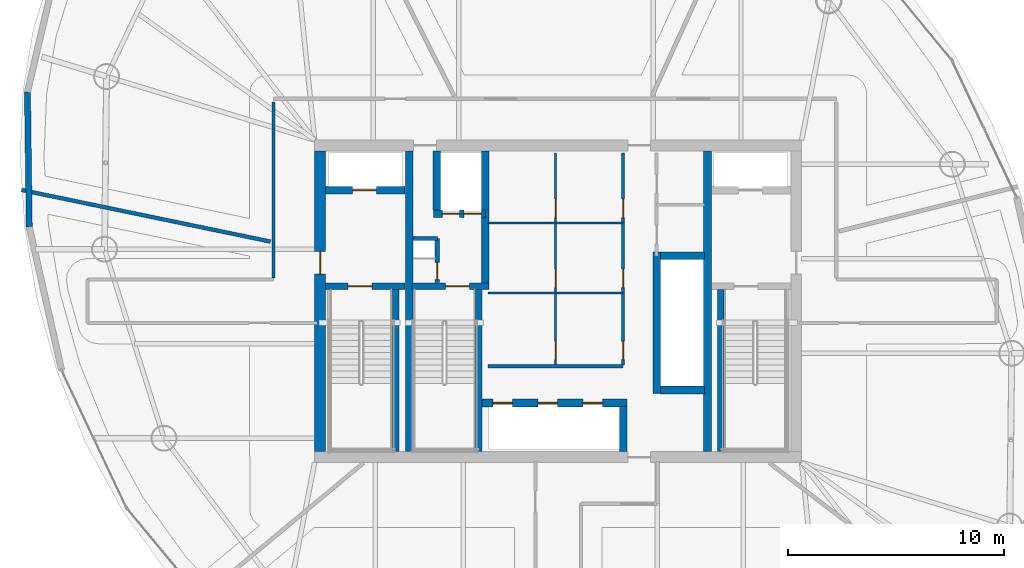
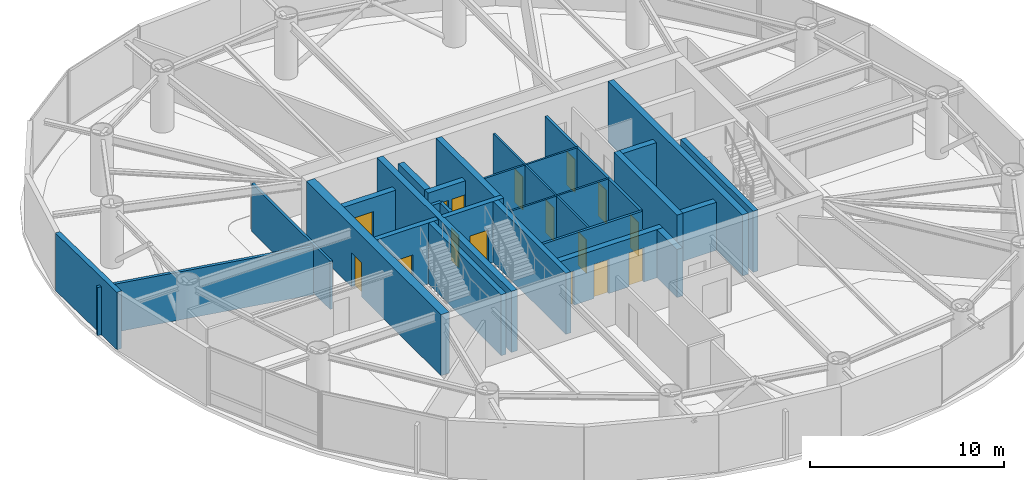
# One storey, part 14 of 20: 27 walls, 16 doors, 16 openings.
"""IFC4 building model written with IfcOpenShell, lengths in metres."""

from ifc_helpers import new_model, si_unit, direction, frame, frame_2d, origin, place, context, subcontext, project, spatial, rectangle, extrude, material, layer, layer_set, type_object, element, fill, save


model = new_model("IFC4")

# Units and contexts
model_context = context("Model", 3, precision=1e-05, world=origin(), true_north=direction((0.0, 1.0)))
body_context = subcontext(model_context, "Body", "Model", "MODEL_VIEW")
ifc_project = project(units=[si_unit("LENGTHUNIT", "METRE"), si_unit("AREAUNIT", "SQUARE_METRE"), si_unit("VOLUMEUNIT", "CUBIC_METRE"), si_unit("PLANEANGLEUNIT", "RADIAN"), si_unit("MASSUNIT", "GRAM", prefix="KILO")], contexts=[model_context])

# Site, building, storey
site_placement = place(None, origin())
site = spatial("IfcSite", under=ifc_project, at=site_placement, CompositionType="ELEMENT")
building_placement = place(site_placement, origin())
building = spatial("IfcBuilding", under=site, at=building_placement, Name="Bramvorn Convention Spire", CompositionType="ELEMENT")
storey_placement = place(building_placement, frame((0.0, 0.0, 202.0)))
storey = spatial("IfcBuildingStorey", under=building, at=storey_placement, Name="L51", CompositionType="ELEMENT", Elevation=202.0)

# Wall, opening, door
ifc_material_1 = material(Name="Concrete C50/60", Category="concrete")
ifc_layer_1 = layer(ifc_material_1, 0.5)
ifc_layer_set_1 = layer_set([ifc_layer_1], Name="Concrete C50/60 - WL-CORE-500")
wall_type_1 = type_object("IfcWallType", Name="WL-CORE-500", PredefinedType="SHEAR", material=ifc_layer_set_1)
wall_1_placement = place(storey_placement, frame((27.0, 19.050048828125, 0.0), z_axis=(0.0, 0.0, 1.0), x_axis=(0.0, 1.0, 0.0)))
wall_1 = element("IfcWall", 1, at=wall_1_placement, inside=storey, type_object=wall_type_1, Name="L51 West RC core shear wall", PredefinedType="SHEAR", context=body_context, shape_type="SweptSolid", body=[
    extrude(rectangle(XDim=13.89990234375, YDim=0.5, at=frame_2d((6.949951171875, 0.0))), origin(), (0.0, 0.0, 1.0), 3.85009765625),
])
opening_1_placement = place(wall_1_placement, frame((8.199951171875, 0.0, 0.0)))
opening_1 = element("IfcOpeningElement", 2, at=opening_1_placement, cuts=wall_1, Name="Opening DL-105", PredefinedType="OPENING", context=body_context, shape_type="SweptSolid", body=[
    extrude(rectangle(XDim=1.050048828125, YDim=2.14990234375, at=frame_2d((0.52490234375, 1.074951171875))), frame((0.0, 0.260009765625, 0.0), z_axis=(0.0, -1.0, 0.0), x_axis=(1.0, 0.0, 0.0)), (0.0, 0.0, 1.0), 0.52001953125),
])
ifc_material_2 = material(Name="Smoke-Sealed Fire Lobby Timber-Core Door", Category="wood")
door_type_1 = type_object("IfcDoorType", Name="DR-LOBBY-1050", OperationType="NOTDEFINED", PredefinedType="DOOR", material=ifc_material_2)
door_1_placement = place(opening_1_placement, origin())
door_1 = element("IfcDoor", 3, at=door_1_placement, inside=storey, type_object=door_type_1, Name="L51 West Firefighting Lobby corridor door", OperationType="SINGLE_SWING_RIGHT", OverallHeight=2.14990234375, OverallWidth=1.050048828125, PredefinedType="DOOR", context=body_context, shape_type="SweptSolid", body=[
    extrude(rectangle(XDim=1.050048828125, YDim=2.14990234375, at=frame_2d((0.52490234375, 1.074951171875))), frame((0.0, 0.02490234375, 0.0), z_axis=(0.0, -1.0, 0.0), x_axis=(1.0, 0.0, 0.0)), (0.0, 0.0, 1.0), 0.050048828125),
])
fill(opening_1, door_1)

# Walls
ifc_layer_2 = layer(ifc_material_1, 0.35009765625)
ifc_layer_set_2 = layer_set([ifc_layer_2], Name="Concrete C50/60 - WL-CORE-INT-350")
wall_type_2 = type_object("IfcWallType", Name="WL-CORE-INT-350", PredefinedType="SHEAR", material=ifc_layer_set_2)
for number, where, z_axis, x_axis, name in (
    (4, (31.1298828125, 19.050048828125, 0.0), (0.0, 0.0, 1.0), (0.0, 1.0, 0.0), "L51 West internal core shear web"),
    (5, (44.89990234375, 19.050048828125, 0.0), (0.0, 0.0, 1.0), (0.0, 1.0, 0.0), "L51 East internal core shear web"),
):
    element("IfcWall", number, at=place(storey_placement, frame(where, z_axis=z_axis, x_axis=x_axis)), inside=storey, type_object=wall_type_2, Name=name, PredefinedType="SHEAR", context=body_context, shape_type="SweptSolid", body=[
        extrude(rectangle(XDim=13.89990234375, YDim=0.35009765625, at=frame_2d((6.949951171875, 0.0))), origin(), (0.0, 0.0, 1.0), 3.85009765625),
    ])

# Wall, opening, door
wall_2_placement = place(storey_placement, frame((27.25, 31.1201171875, 0.0), z_axis=(0.0, 0.0, 1.0), x_axis=(1.0, 0.0, 0.0)))
wall_2 = element("IfcWall", 6, at=wall_2_placement, inside=storey, type_object=wall_type_2, Name="L51 FE1 shaft front wall", PredefinedType="SHEAR", context=body_context, shape_type="SweptSolid", body=[
    extrude(rectangle(XDim=3.669921875, YDim=0.35009765625, at=frame_2d((1.8349609375, 0.0))), origin(), (0.0, 0.0, 1.0), 3.034912109375),
])
opening_2_placement = place(wall_2_placement, frame((1.25, 0.0, 0.0)))
opening_2 = element("IfcOpeningElement", 7, at=opening_2_placement, cuts=wall_2, Name="Opening LD-110", PredefinedType="OPENING", context=body_context, shape_type="SweptSolid", body=[
    extrude(rectangle(XDim=1.10009765625, YDim=2.14990234375, at=frame_2d((0.550048828125, 1.074951171875))), frame((0.0, 0.18505859375, 0.0), z_axis=(0.0, -1.0, 0.0), x_axis=(1.0, 0.0, 0.0)), (0.0, 0.0, 1.0), 0.3701171875),
])
ifc_material_3 = material(Name="Firefighting & Service Lift Sliding Landing Door", Category="steel")
door_type_2 = type_object("IfcDoorType", Name="DR-LIFT-LD-1100", OperationType="NOTDEFINED", PredefinedType="DOOR", material=ifc_material_3)
door_2_placement = place(opening_2_placement, origin())
door_2 = element("IfcDoor", 8, at=door_2_placement, inside=storey, type_object=door_type_2, Name="L51 Lift FE1 Sliding Landing Door", OperationType="SLIDING_TO_LEFT", OverallHeight=2.14990234375, OverallWidth=1.10009765625, PredefinedType="DOOR", context=body_context, shape_type="SweptSolid", body=[
    extrude(rectangle(XDim=1.10009765625, YDim=2.14990234375, at=frame_2d((0.550048828125, 1.074951171875))), frame((0.0, 0.02490234375, 0.0), z_axis=(0.0, -1.0, 0.0), x_axis=(1.0, 0.0, 0.0)), (0.0, 0.0, 1.0), 0.050048828125),
])
fill(opening_2, door_2)

# Wall
wall_3_placement = place(storey_placement, frame((34.639892578125, 26.68994140625, 0.0), z_axis=(0.0, 0.0, 1.0), x_axis=(0.0, 1.0, 0.0)))
element("IfcWall", 9, at=wall_3_placement, inside=storey, type_object=wall_type_2, Name="L51 SV east core shaft wall", PredefinedType="SHEAR", context=body_context, shape_type="SweptSolid", body=[
    extrude(rectangle(XDim=6.260009765625, YDim=0.35009765625, at=frame_2d((3.1298828125, 0.0))), origin(), (0.0, 0.0, 1.0), 3.85009765625),
])

# Wall, openings, doors
wall_4_placement = place(storey_placement, frame((32.22998046875, 30.050048828125, 0.0), z_axis=(0.0, 0.0, 1.0), x_axis=(1.0, 0.0, 0.0)))
wall_4 = element("IfcWall", 10, at=wall_4_placement, inside=storey, type_object=wall_type_2, Name="L51 SV1/SV2 shaft front wall", PredefinedType="SHEAR", context=body_context, shape_type="SweptSolid", body=[
    extrude(rectangle(XDim=2.409912109375, YDim=0.35009765625, at=frame_2d((1.205078125, 0.0))), origin(), (0.0, 0.0, 1.0), 3.034912109375),
])
opening_3_placement = place(wall_4_placement, frame((0.419921875, 0.0, 0.0)))
opening_3 = element("IfcOpeningElement", 11, at=opening_3_placement, cuts=wall_4, Name="Opening LD-080", PredefinedType="OPENING", context=body_context, shape_type="SweptSolid", body=[
    extrude(rectangle(XDim=0.800048828125, YDim=2.14990234375, at=frame_2d((0.39990234375, 1.074951171875))), frame((0.0, 0.18505859375, 0.0), z_axis=(0.0, -1.0, 0.0), x_axis=(1.0, 0.0, 0.0)), (0.0, 0.0, 1.0), 0.3701171875),
])
opening_4_placement = place(wall_4_placement, frame((1.419921875, 0.0, 0.0)))
opening_4 = element("IfcOpeningElement", 12, at=opening_4_placement, cuts=wall_4, Name="Opening LD-080", PredefinedType="OPENING", context=body_context, shape_type="SweptSolid", body=[
    extrude(rectangle(XDim=0.800048828125, YDim=2.14990234375, at=frame_2d((0.39990234375, 1.074951171875))), frame((0.0, 0.18505859375, 0.0), z_axis=(0.0, -1.0, 0.0), x_axis=(1.0, 0.0, 0.0)), (0.0, 0.0, 1.0), 0.3701171875),
])
ifc_material_4 = material(Name="Service Lift Bi-Parting Landing Door", Category="steel")
door_type_3 = type_object("IfcDoorType", Name="DR-LIFT-LD-800", OperationType="NOTDEFINED", PredefinedType="DOOR", material=ifc_material_4)
door_3_placement = place(opening_3_placement, origin())
door_3 = element("IfcDoor", 13, at=door_3_placement, inside=storey, type_object=door_type_3, Name="L51 Lift SV1 Sliding Landing Door", OperationType="SLIDING_TO_LEFT", OverallHeight=2.14990234375, OverallWidth=0.800048828125, PredefinedType="DOOR", context=body_context, shape_type="SweptSolid", body=[
    extrude(rectangle(XDim=0.800048828125, YDim=2.14990234375, at=frame_2d((0.39990234375, 1.074951171875))), frame((0.0, 0.02490234375, 0.0), z_axis=(0.0, -1.0, 0.0), x_axis=(1.0, 0.0, 0.0)), (0.0, 0.0, 1.0), 0.050048828125),
])
fill(opening_3, door_3)
door_4_placement = place(opening_4_placement, origin())
door_4 = element("IfcDoor", 14, at=door_4_placement, inside=storey, type_object=door_type_3, Name="L51 Lift SV2 Sliding Landing Door", OperationType="SLIDING_TO_LEFT", OverallHeight=2.14990234375, OverallWidth=0.800048828125, PredefinedType="DOOR", context=body_context, shape_type="SweptSolid", body=[
    extrude(rectangle(XDim=0.800048828125, YDim=2.14990234375, at=frame_2d((0.39990234375, 1.074951171875))), frame((0.0, 0.02490234375, 0.0), z_axis=(0.0, -1.0, 0.0), x_axis=(1.0, 0.0, 0.0)), (0.0, 0.0, 1.0), 0.050048828125),
])
fill(opening_4, door_4)

# Walls
wall_5_placement = place(storey_placement, frame((32.39990234375, 30.219970703125, 0.0), z_axis=(0.0, 0.0, 1.0), x_axis=(0.0, 1.0, 0.0)))
element("IfcWall", 15, at=wall_5_placement, inside=storey, type_object=wall_type_2, Name="L51 SV1 west hoistway wall", PredefinedType="SHEAR", context=body_context, shape_type="SweptSolid", body=[
    extrude(rectangle(XDim=2.72998046875, YDim=0.35009765625, at=frame_2d((1.364990234375, 0.0))), origin(), (0.0, 0.0, 1.0), 3.034912109375),
])
wall_6_placement = place(storey_placement, frame((42.550048828125, 21.72998046875, 0.0), z_axis=(0.0, 0.0, 1.0), x_axis=(0.0, 1.0, 0.0)))
element("IfcWall", 16, at=wall_6_placement, inside=storey, type_object=wall_type_2, Name="L51 High-rise lift bank west wall", PredefinedType="SHEAR", context=body_context, shape_type="SweptSolid", body=[
    extrude(rectangle(XDim=6.5400390625, YDim=0.35009765625, at=frame_2d((3.27001953125, 0.0))), origin(), (0.0, 0.0, 1.0), 3.034912109375),
])
for number, where, z_axis, x_axis, name in (
    (17, (42.719970703125, 21.89990234375, 0.0), (0.0, 0.0, 1.0), (1.0, 0.0, 0.0), "L51 High-rise lift bank south wall"),
    (18, (42.719970703125, 28.10009765625, 0.0), (0.0, 0.0, 1.0), (1.0, 0.0, 0.0), "L51 High-rise lift bank north wall"),
):
    element("IfcWall", number, at=place(storey_placement, frame(where, z_axis=z_axis, x_axis=x_axis)), inside=storey, type_object=wall_type_2, Name=name, PredefinedType="SHEAR", context=body_context, shape_type="SweptSolid", body=[
        extrude(rectangle(XDim=2.030029296875, YDim=0.35009765625, at=frame_2d((1.01513671875, 0.0))), origin(), (0.0, 0.0, 1.0), 3.034912109375),
    ])

# Wall, openings, doors
wall_7_placement = place(storey_placement, frame((34.489990234375, 21.300048828125, 0.0), z_axis=(0.0, 0.0, 1.0), x_axis=(1.0, 0.0, 0.0)))
wall_7 = element("IfcWall", 19, at=wall_7_placement, inside=storey, type_object=wall_type_2, Name="L51 Mid-rise bank north landing wall", PredefinedType="SHEAR", context=body_context, shape_type="SweptSolid", body=[
    extrude(rectangle(XDim=6.679931640625, YDim=0.35009765625, at=frame_2d((3.33984375, 0.0))), origin(), (0.0, 0.0, 1.0), 3.034912109375),
])
opening_5_placement = place(wall_7_placement, frame((0.5, 0.0, 0.0)))
opening_5 = element("IfcOpeningElement", 20, at=opening_5_placement, cuts=wall_7, Name="Opening LD-090", PredefinedType="OPENING", context=body_context, shape_type="SweptSolid", body=[
    extrude(rectangle(XDim=0.89990234375, YDim=2.14990234375, at=frame_2d((0.449951171875, 1.074951171875))), frame((0.0, 0.18505859375, 0.0), z_axis=(0.0, -1.0, 0.0), x_axis=(1.0, 0.0, 0.0)), (0.0, 0.0, 1.0), 0.3701171875),
])
opening_6_placement = place(wall_7_placement, frame((2.580078125, 0.0, 0.0)))
opening_6 = element("IfcOpeningElement", 21, at=opening_6_placement, cuts=wall_7, Name="Opening LD-090", PredefinedType="OPENING", context=body_context, shape_type="SweptSolid", body=[
    extrude(rectangle(XDim=0.89990234375, YDim=2.14990234375, at=frame_2d((0.449951171875, 1.074951171875))), frame((0.0, 0.18505859375, 0.0), z_axis=(0.0, -1.0, 0.0), x_axis=(1.0, 0.0, 0.0)), (0.0, 0.0, 1.0), 0.3701171875),
])
opening_7_placement = place(wall_7_placement, frame((4.659912109375, 0.0, 0.0)))
opening_7 = element("IfcOpeningElement", 22, at=opening_7_placement, cuts=wall_7, Name="Opening LD-090", PredefinedType="OPENING", context=body_context, shape_type="SweptSolid", body=[
    extrude(rectangle(XDim=0.89990234375, YDim=2.14990234375, at=frame_2d((0.449951171875, 1.074951171875))), frame((0.0, 0.18505859375, 0.0), z_axis=(0.0, -1.0, 0.0), x_axis=(1.0, 0.0, 0.0)), (0.0, 0.0, 1.0), 0.3701171875),
])
ifc_material_5 = material(Name="Bi-Parting Fire-Rated Lift Landing Door", Category="steel")
door_type_4 = type_object("IfcDoorType", Name="DR-LIFT-LD-900", OperationType="NOTDEFINED", PredefinedType="DOOR", material=ifc_material_5)
door_5_placement = place(opening_5_placement, origin())
door_5 = element("IfcDoor", 23, at=door_5_placement, inside=storey, type_object=door_type_4, Name="L51 Lift PM1 Sliding Landing Door", OperationType="SLIDING_TO_LEFT", OverallHeight=2.14990234375, OverallWidth=0.89990234375, PredefinedType="DOOR", context=body_context, shape_type="SweptSolid", body=[
    extrude(rectangle(XDim=0.89990234375, YDim=2.14990234375, at=frame_2d((0.449951171875, 1.074951171875))), frame((0.0, 0.02490234375, 0.0), z_axis=(0.0, -1.0, 0.0), x_axis=(1.0, 0.0, 0.0)), (0.0, 0.0, 1.0), 0.050048828125),
])
fill(opening_5, door_5)
door_6_placement = place(opening_6_placement, origin())
door_6 = element("IfcDoor", 24, at=door_6_placement, inside=storey, type_object=door_type_4, Name="L51 Lift PM2 Sliding Landing Door", OperationType="SLIDING_TO_LEFT", OverallHeight=2.14990234375, OverallWidth=0.89990234375, PredefinedType="DOOR", context=body_context, shape_type="SweptSolid", body=[
    extrude(rectangle(XDim=0.89990234375, YDim=2.14990234375, at=frame_2d((0.449951171875, 1.074951171875))), frame((0.0, 0.02490234375, 0.0), z_axis=(0.0, -1.0, 0.0), x_axis=(1.0, 0.0, 0.0)), (0.0, 0.0, 1.0), 0.050048828125),
])
fill(opening_6, door_6)
door_7_placement = place(opening_7_placement, origin())
door_7 = element("IfcDoor", 25, at=door_7_placement, inside=storey, type_object=door_type_4, Name="L51 Lift PM3 Sliding Landing Door", OperationType="SLIDING_TO_LEFT", OverallHeight=2.14990234375, OverallWidth=0.89990234375, PredefinedType="DOOR", context=body_context, shape_type="SweptSolid", body=[
    extrude(rectangle(XDim=0.89990234375, YDim=2.14990234375, at=frame_2d((0.449951171875, 1.074951171875))), frame((0.0, 0.02490234375, 0.0), z_axis=(0.0, -1.0, 0.0), x_axis=(1.0, 0.0, 0.0)), (0.0, 0.0, 1.0), 0.050048828125),
])
fill(opening_7, door_7)

# Walls
wall_8_placement = place(storey_placement, frame((41.0, 19.050048828125, 0.0), z_axis=(0.0, 0.0, 1.0), x_axis=(0.0, 1.0, 0.0)))
element("IfcWall", 26, at=wall_8_placement, inside=storey, type_object=wall_type_2, Name="L51 Mid-rise bank east cheek wall", PredefinedType="SHEAR", context=body_context, shape_type="SweptSolid", body=[
    extrude(rectangle(XDim=2.079833984375, YDim=0.35009765625, at=frame_2d((1.0400390625, 0.0))), origin(), (0.0, 0.0, 1.0), 3.034912109375),
])
ifc_material_6 = material(Name="Precast Concrete C40/50 with Bronze Terracotta Rainscreen", Category="masonry")
ifc_layer_3 = layer(ifc_material_6, 0.300048828125)
ifc_layer_set_3 = layer_set([ifc_layer_3], Name="Precast Concrete C40/50 with Bronze Terracotta Rainscreen - WL-EXT-BRONZE-300")
wall_type_3 = type_object("IfcWallType", Name="WL-EXT-BRONZE-300", PredefinedType="SOLIDWALL", material=ifc_layer_set_3)
wall_9_placement = place(storey_placement, frame((13.5673828125, 29.44189453125, 0.0), z_axis=(0.0, 0.0, 1.0), x_axis=(-0.013449236396, 0.99990955493, 0.0)))
element("IfcWall", 27, at=wall_9_placement, inside=storey, type_object=wall_type_3, Name="L51 expressed bronze Gothic lancet pier wall 15", PredefinedType="SOLIDWALL", context=body_context, shape_type="SweptSolid", body=[
    extrude(rectangle(XDim=6.226318359375, YDim=0.280029296875, at=frame_2d((3.11328125, 0.0))), origin(), (0.0, 0.0, 1.0), 3.6201171875),
])

# Wall, openings, doors
ifc_material_7 = material(Name="Lightweight En-Suite & Wet-Wall Partition", Category="gypsum")
ifc_layer_4 = layer(ifc_material_7, 0.110107421875)
ifc_layer_set_4 = layer_set([ifc_layer_4], Name="Lightweight En-Suite & Wet-Wall Partition - WL-PART-110")
wall_type_4 = type_object("IfcWallType", Name="WL-PART-110", PredefinedType="PARTITIONING", material=ifc_layer_set_4)
wall_10_placement = place(storey_placement, frame((37.8798828125, 23.050048828125, 0.0), z_axis=(0.0, 0.0, 1.0), x_axis=(0.0, 1.0, 0.0)))
wall_10 = element("IfcWall", 28, at=wall_10_placement, inside=storey, type_object=wall_type_4, Name="L51 KB center wall", PredefinedType="PARTITIONING", context=body_context, shape_type="SweptSolid", body=[
    extrude(rectangle(XDim=9.800048828125, YDim=0.110107421875, at=frame_2d((4.89990234375, 0.0))), origin(), (0.0, 0.0, 1.0), 3.034912109375),
])
opening_8_placement = place(wall_10_placement, frame((0.25, 0.0, 0.0)))
opening_8 = element("IfcOpeningElement", 29, at=opening_8_placement, cuts=wall_10, Name="Opening DC-085", PredefinedType="OPENING", context=body_context, shape_type="SweptSolid", body=[
    extrude(rectangle(XDim=0.85009765625, YDim=2.10009765625, at=frame_2d((0.425048828125, 1.050048828125))), frame((0.0, 0.06494140625, 0.0), z_axis=(0.0, -1.0, 0.0), x_axis=(1.0, 0.0, 0.0)), (0.0, 0.0, 1.0), 0.130126953125),
])
opening_9_placement = place(wall_10_placement, frame((3.58203125, 0.0, 0.0)))
opening_9 = element("IfcOpeningElement", 30, at=opening_9_placement, cuts=wall_10, Name="Opening DC-085", PredefinedType="OPENING", context=body_context, shape_type="SweptSolid", body=[
    extrude(rectangle(XDim=0.85009765625, YDim=2.10009765625, at=frame_2d((0.425048828125, 1.050048828125))), frame((0.0, 0.06494140625, 0.0), z_axis=(0.0, -1.0, 0.0), x_axis=(1.0, 0.0, 0.0)), (0.0, 0.0, 1.0), 0.130126953125),
])
opening_10_placement = place(wall_10_placement, frame((6.81591796875, 0.0, 0.0)))
opening_10 = element("IfcOpeningElement", 31, at=opening_10_placement, cuts=wall_10, Name="Opening DC-085", PredefinedType="OPENING", context=body_context, shape_type="SweptSolid", body=[
    extrude(rectangle(XDim=0.85009765625, YDim=2.10009765625, at=frame_2d((0.425048828125, 1.050048828125))), frame((0.0, 0.06494140625, 0.0), z_axis=(0.0, -1.0, 0.0), x_axis=(1.0, 0.0, 0.0)), (0.0, 0.0, 1.0), 0.130126953125),
])
ifc_material_8 = material(Name="Fire-Rated Core Washroom & IDF Door", Category="wood")
door_type_5 = type_object("IfcDoorType", Name="DR-CORE-850", OperationType="NOTDEFINED", PredefinedType="DOOR", material=ifc_material_8)
door_8_placement = place(opening_8_placement, origin())
door_8 = element("IfcDoor", 32, at=door_8_placement, inside=storey, type_object=door_type_5, Name="L51 Core Linen Store door", OperationType="SINGLE_SWING_LEFT", OverallHeight=2.10009765625, OverallWidth=0.85009765625, PredefinedType="DOOR", context=body_context, shape_type="SweptSolid", body=[
    extrude(rectangle(XDim=0.85009765625, YDim=2.10009765625, at=frame_2d((0.425048828125, 1.050048828125))), frame((0.0, 0.02490234375, 0.0), z_axis=(0.0, -1.0, 0.0), x_axis=(1.0, 0.0, 0.0)), (0.0, 0.0, 1.0), 0.050048828125),
])
fill(opening_8, door_8)
door_9_placement = place(opening_9_placement, origin())
door_9 = element("IfcDoor", 33, at=door_9_placement, inside=storey, type_object=door_type_5, Name="L51 Core Metering Closet door", OperationType="SINGLE_SWING_LEFT", OverallHeight=2.10009765625, OverallWidth=0.85009765625, PredefinedType="DOOR", context=body_context, shape_type="SweptSolid", body=[
    extrude(rectangle(XDim=0.85009765625, YDim=2.10009765625, at=frame_2d((0.425048828125, 1.050048828125))), frame((0.0, 0.02490234375, 0.0), z_axis=(0.0, -1.0, 0.0), x_axis=(1.0, 0.0, 0.0)), (0.0, 0.0, 1.0), 0.050048828125),
])
fill(opening_9, door_9)
door_10_placement = place(opening_10_placement, origin())
door_10 = element("IfcDoor", 34, at=door_10_placement, inside=storey, type_object=door_type_5, Name="L51 Core Janitor Supply door", OperationType="SINGLE_SWING_LEFT", OverallHeight=2.10009765625, OverallWidth=0.85009765625, PredefinedType="DOOR", context=body_context, shape_type="SweptSolid", body=[
    extrude(rectangle(XDim=0.85009765625, YDim=2.10009765625, at=frame_2d((0.425048828125, 1.050048828125))), frame((0.0, 0.02490234375, 0.0), z_axis=(0.0, -1.0, 0.0), x_axis=(1.0, 0.0, 0.0)), (0.0, 0.0, 1.0), 0.050048828125),
])
fill(opening_10, door_10)

# Walls
for number, where, z_axis, x_axis, name in (
    (35, (34.75, 26.382080078125, 0.0), (0.0, 0.0, 1.0), (1.0, 0.0, 0.0), "L51 KB divider 1"),
    (36, (34.75, 29.615966796875, 0.0), (0.0, 0.0, 1.0), (1.0, 0.0, 0.0), "L51 KB divider 2"),
):
    element("IfcWall", number, at=place(storey_placement, frame(where, z_axis=z_axis, x_axis=x_axis)), inside=storey, type_object=wall_type_4, Name=name, PredefinedType="PARTITIONING", context=body_context, shape_type="SweptSolid", body=[
        extrude(rectangle(XDim=6.25, YDim=0.110107421875, at=frame_2d((3.125, 0.0))), origin(), (0.0, 0.0, 1.0), 3.034912109375),
    ])
ifc_material_9 = material(Name="Acoustic Metal-Stud Tenant/Corridor Partition", Category="gypsum")
ifc_layer_5 = layer(ifc_material_9, 0.14990234375)
ifc_layer_set_5 = layer_set([ifc_layer_5], Name="Acoustic Metal-Stud Tenant/Corridor Partition - WL-PART-150")
wall_type_5 = type_object("IfcWallType", Name="WL-PART-150", PredefinedType="PARTITIONING", material=ifc_layer_set_5)
wall_11_placement = place(storey_placement, frame((34.75, 23.0, 0.0), z_axis=(0.0, 0.0, 1.0), x_axis=(1.0, 0.0, 0.0)))
element("IfcWall", 37, at=wall_11_placement, inside=storey, type_object=wall_type_5, Name="L51 Mid-rise lift vestibule north wall", PredefinedType="PARTITIONING", context=body_context, shape_type="SweptSolid", body=[
    extrude(rectangle(XDim=6.25, YDim=0.14990234375, at=frame_2d((3.125, 0.0))), origin(), (0.0, 0.0, 1.0), 3.034912109375),
])

# Wall, openings, doors
wall_12_placement = place(storey_placement, frame((41.0, 23.050048828125, 0.0), z_axis=(0.0, 0.0, 1.0), x_axis=(0.0, 1.0, 0.0)))
wall_12 = element("IfcWall", 38, at=wall_12_placement, inside=storey, type_object=wall_type_5, Name="L51 KB east core wall", PredefinedType="PARTITIONING", context=body_context, shape_type="SweptSolid", body=[
    extrude(rectangle(XDim=9.800048828125, YDim=0.14990234375, at=frame_2d((4.89990234375, 0.0))), origin(), (0.0, 0.0, 1.0), 3.034912109375),
])
opening_11_placement = place(wall_12_placement, frame((0.25, 0.0, 0.0)))
opening_11 = element("IfcOpeningElement", 39, at=opening_11_placement, cuts=wall_12, Name="Opening DC-085", PredefinedType="OPENING", context=body_context, shape_type="SweptSolid", body=[
    extrude(rectangle(XDim=0.85009765625, YDim=2.10009765625, at=frame_2d((0.425048828125, 1.050048828125))), frame((0.0, 0.0849609375, 0.0), z_axis=(0.0, -1.0, 0.0), x_axis=(1.0, 0.0, 0.0)), (0.0, 0.0, 1.0), 0.169921875),
])
opening_12_placement = place(wall_12_placement, frame((3.58203125, 0.0, 0.0)))
opening_12 = element("IfcOpeningElement", 40, at=opening_12_placement, cuts=wall_12, Name="Opening DC-085", PredefinedType="OPENING", context=body_context, shape_type="SweptSolid", body=[
    extrude(rectangle(XDim=0.85009765625, YDim=2.10009765625, at=frame_2d((0.425048828125, 1.050048828125))), frame((0.0, 0.0849609375, 0.0), z_axis=(0.0, -1.0, 0.0), x_axis=(1.0, 0.0, 0.0)), (0.0, 0.0, 1.0), 0.169921875),
])
opening_13_placement = place(wall_12_placement, frame((6.81591796875, 0.0, 0.0)))
opening_13 = element("IfcOpeningElement", 41, at=opening_13_placement, cuts=wall_12, Name="Opening DC-085", PredefinedType="OPENING", context=body_context, shape_type="SweptSolid", body=[
    extrude(rectangle(XDim=0.85009765625, YDim=2.10009765625, at=frame_2d((0.425048828125, 1.050048828125))), frame((0.0, 0.0849609375, 0.0), z_axis=(0.0, -1.0, 0.0), x_axis=(1.0, 0.0, 0.0)), (0.0, 0.0, 1.0), 0.169921875),
])
door_11_placement = place(opening_11_placement, origin())
door_11 = element("IfcDoor", 42, at=door_11_placement, inside=storey, type_object=door_type_5, Name="L51 Accessible Core Restroom door", OperationType="SINGLE_SWING_LEFT", OverallHeight=2.10009765625, OverallWidth=0.85009765625, PredefinedType="DOOR", context=body_context, shape_type="SweptSolid", body=[
    extrude(rectangle(XDim=0.85009765625, YDim=2.10009765625, at=frame_2d((0.425048828125, 1.050048828125))), frame((0.0, 0.02490234375, 0.0), z_axis=(0.0, -1.0, 0.0), x_axis=(1.0, 0.0, 0.0)), (0.0, 0.0, 1.0), 0.050048828125),
])
fill(opening_11, door_11)
door_12_placement = place(opening_12_placement, origin())
door_12 = element("IfcDoor", 43, at=door_12_placement, inside=storey, type_object=door_type_5, Name="L51 Tenant Pantry & Copy Centre door", OperationType="SINGLE_SWING_LEFT", OverallHeight=2.10009765625, OverallWidth=0.85009765625, PredefinedType="DOOR", context=body_context, shape_type="SweptSolid", body=[
    extrude(rectangle(XDim=0.85009765625, YDim=2.10009765625, at=frame_2d((0.425048828125, 1.050048828125))), frame((0.0, 0.02490234375, 0.0), z_axis=(0.0, -1.0, 0.0), x_axis=(1.0, 0.0, 0.0)), (0.0, 0.0, 1.0), 0.050048828125),
])
fill(opening_12, door_12)
door_13_placement = place(opening_13_placement, origin())
door_13 = element("IfcDoor", 44, at=door_13_placement, inside=storey, type_object=door_type_5, Name="L51 Gender-Neutral Core WC door", OperationType="SINGLE_SWING_LEFT", OverallHeight=2.10009765625, OverallWidth=0.85009765625, PredefinedType="DOOR", context=body_context, shape_type="SweptSolid", body=[
    extrude(rectangle(XDim=0.85009765625, YDim=2.10009765625, at=frame_2d((0.425048828125, 1.050048828125))), frame((0.0, 0.02490234375, 0.0), z_axis=(0.0, -1.0, 0.0), x_axis=(1.0, 0.0, 0.0)), (0.0, 0.0, 1.0), 0.050048828125),
])
fill(opening_13, door_13)

# Walls
wall_13_placement = place(storey_placement, frame((24.85009765625, 27.080078125, 0.0), z_axis=(0.0, 0.0, 1.0), x_axis=(0.0, 1.0, 0.0)))
element("IfcWall", 45, at=wall_13_placement, inside=storey, type_object=wall_type_5, Name="L51 NW gallery cheek", PredefinedType="PARTITIONING", context=body_context, shape_type="SweptSolid", body=[
    extrude(rectangle(XDim=8.119873046875, YDim=0.14990234375, at=frame_2d((4.06005859375, 0.0))), origin(), (0.0, 0.0, 1.0), 3.034912109375),
])
ifc_material_10 = material(Name="Double-Stud Acoustic Hotel/Suite Partition", Category="gypsum")
ifc_layer_6 = layer(ifc_material_10, 0.175048828125)
ifc_layer_set_6 = layer_set([ifc_layer_6], Name="Double-Stud Acoustic Hotel/Suite Partition - WL-PART-175")
wall_type_6 = type_object("IfcWallType", Name="WL-PART-175", PredefinedType="PARTITIONING", material=ifc_layer_set_6)
wall_14_placement = place(storey_placement, frame((24.7099609375, 28.755615234375, 0.0), z_axis=(0.0, 0.0, 1.0), x_axis=(-0.979172598115, 0.203029611389, 0.0)))
element("IfcWall", 46, at=wall_14_placement, inside=storey, type_object=wall_type_6, Name="L51 Tenant suite partition 4", PredefinedType="PARTITIONING", context=body_context, shape_type="SweptSolid", body=[
    extrude(rectangle(XDim=11.7470703125, YDim=0.175048828125, at=frame_2d((5.87353515625, 0.0))), origin(), (0.0, 0.0, 1.0), 3.034912109375),
])

# Wall, opening, door
ifc_material_11 = material(Name="Gypsum Shaftwall & Rockwool Core Partition", Category="gypsum")
ifc_layer_7 = layer(ifc_material_11, 0.199951171875)
ifc_layer_set_7 = layer_set([ifc_layer_7], Name="Gypsum Shaftwall & Rockwool Core Partition - WL-PART-200-FR")
wall_type_7 = type_object("IfcWallType", Name="WL-PART-200-FR", PredefinedType="PARTITIONING", material=ifc_layer_set_7)
wall_15_placement = place(storey_placement, frame((32.419921875, 26.860107421875, 0.0), z_axis=(0.0, 0.0, 1.0), x_axis=(0.0, 1.0, 0.0)))
wall_15 = element("IfcWall", 47, at=wall_15_placement, inside=storey, type_object=wall_type_7, Name="L51 Telecom riser east wall", PredefinedType="PARTITIONING", context=body_context, shape_type="SweptSolid", body=[
    extrude(rectangle(XDim=2.039794921875, YDim=0.199951171875, at=frame_2d((1.02001953125, 0.0))), origin(), (0.0, 0.0, 1.0), 3.034912109375),
])
opening_14_placement = place(wall_15_placement, frame((0.139892578125, 0.0, 0.0)))
opening_14 = element("IfcOpeningElement", 48, at=opening_14_placement, cuts=wall_15, Name="Opening DR-080", PredefinedType="OPENING", context=body_context, shape_type="SweptSolid", body=[
    extrude(rectangle(XDim=0.800048828125, YDim=2.050048828125, at=frame_2d((0.39990234375, 1.02490234375))), frame((0.0, 0.10986328125, 0.0), z_axis=(0.0, -1.0, 0.0), x_axis=(1.0, 0.0, 0.0)), (0.0, 0.0, 1.0), 0.219970703125),
])
ifc_material_12 = material(Name="Flush Steel Riser Access Door", Category="steel")
door_type_6 = type_object("IfcDoorType", Name="DR-RISER-800", OperationType="NOTDEFINED", PredefinedType="DOOR", material=ifc_material_12)
door_14_placement = place(opening_14_placement, origin())
door_14 = element("IfcDoor", 49, at=door_14_placement, inside=storey, type_object=door_type_6, Name="L51 Telecom riser access door", OperationType="SINGLE_SWING_RIGHT", OverallHeight=2.050048828125, OverallWidth=0.800048828125, PredefinedType="DOOR", context=body_context, shape_type="SweptSolid", body=[
    extrude(rectangle(XDim=0.800048828125, YDim=2.050048828125, at=frame_2d((0.39990234375, 1.02490234375))), frame((0.0, 0.02490234375, 0.0), z_axis=(0.0, -1.0, 0.0), x_axis=(1.0, 0.0, 0.0)), (0.0, 0.0, 1.0), 0.050048828125),
])
fill(opening_14, door_14)

# Wall
wall_16_placement = place(storey_placement, frame((31.300048828125, 28.89990234375, 0.0), z_axis=(0.0, 0.0, 1.0), x_axis=(1.0, 0.0, 0.0)))
element("IfcWall", 50, at=wall_16_placement, inside=storey, type_object=wall_type_7, Name="L51 Telecom riser north wall", PredefinedType="PARTITIONING", context=body_context, shape_type="SweptSolid", body=[
    extrude(rectangle(XDim=1.119873046875, YDim=0.199951171875, at=frame_2d((0.56005859375, 0.0))), origin(), (0.0, 0.0, 1.0), 3.034912109375),
])

# Wall, opening, door
ifc_layer_8 = layer(ifc_material_1, 0.300048828125)
ifc_layer_set_8 = layer_set([ifc_layer_8], Name="Concrete C50/60 - WL-POD-STAIR-300")
wall_type_8 = type_object("IfcWallType", Name="WL-POD-STAIR-300", PredefinedType="SHEAR", material=ifc_layer_set_8)
wall_17_placement = place(storey_placement, frame((27.25, 26.68994140625, 0.0), z_axis=(0.0, 0.0, 1.0), x_axis=(1.0, 0.0, 0.0)))
wall_17 = element("IfcWall", 51, at=wall_17_placement, inside=storey, type_object=wall_type_8, Name="L51 ST1 north fire wall", PredefinedType="SHEAR", context=body_context, shape_type="SweptSolid", body=[
    extrude(rectangle(XDim=3.669921875, YDim=0.300048828125, at=frame_2d((1.8349609375, 0.0))), origin(), (0.0, 0.0, 1.0), 3.85009765625),
])
opening_15_placement = place(wall_17_placement, frame((1.050048828125, 0.0, 0.0)))
opening_15 = element("IfcOpeningElement", 52, at=opening_15_placement, cuts=wall_17, Name="Opening DS-110", PredefinedType="OPENING", context=body_context, shape_type="SweptSolid", body=[
    extrude(rectangle(XDim=1.10009765625, YDim=2.14990234375, at=frame_2d((0.550048828125, 1.074951171875))), frame((0.0, 0.159912109375, 0.0), z_axis=(0.0, -1.0, 0.0), x_axis=(1.0, 0.0, 0.0)), (0.0, 0.0, 1.0), 0.320068359375),
])
ifc_material_13 = material(Name="Fire-Rated Hollow Steel Stairwell Door", Category="steel")
door_type_7 = type_object("IfcDoorType", Name="DR-STAIR-1100", OperationType="NOTDEFINED", PredefinedType="DOOR", material=ifc_material_13)
door_15_placement = place(opening_15_placement, origin())
door_15 = element("IfcDoor", 53, at=door_15_placement, inside=storey, type_object=door_type_7, Name="L51 Stair ST1 fire door", OperationType="SINGLE_SWING_LEFT", OverallHeight=2.14990234375, OverallWidth=1.10009765625, PredefinedType="DOOR", context=body_context, shape_type="SweptSolid", body=[
    extrude(rectangle(XDim=1.10009765625, YDim=2.14990234375, at=frame_2d((0.550048828125, 1.074951171875))), frame((0.0, 0.02490234375, 0.0), z_axis=(0.0, -1.0, 0.0), x_axis=(1.0, 0.0, 0.0)), (0.0, 0.0, 1.0), 0.050048828125),
])
fill(opening_15, door_15)

# Walls
for number, where, z_axis, x_axis, name in (
    (54, (30.489990234375, 19.050048828125, 0.0), (0.0, 0.0, 1.0), (0.0, 1.0, 0.0), "L51 ST1 east bearing wall"),
    (55, (45.510009765625, 19.050048828125, 0.0), (0.0, 0.0, 1.0), (0.0, 1.0, 0.0), "L51 ST2 west bearing wall"),
    (56, (34.340087890625, 19.050048828125, 0.0), (0.0, 0.0, 1.0), (0.0, 1.0, 0.0), "L51 ST3 east bearing wall"),
):
    element("IfcWall", number, at=place(storey_placement, frame(where, z_axis=z_axis, x_axis=x_axis)), inside=storey, type_object=wall_type_8, Name=name, PredefinedType="SHEAR", context=body_context, shape_type="SweptSolid", body=[
        extrude(rectangle(XDim=7.5, YDim=0.300048828125, at=frame_2d((3.75, 0.0))), origin(), (0.0, 0.0, 1.0), 3.85009765625),
    ])

# Wall, opening, door
wall_18_placement = place(storey_placement, frame((31.25, 26.68994140625, 0.0), z_axis=(0.0, 0.0, 1.0), x_axis=(1.0, 0.0, 0.0)))
wall_18 = element("IfcWall", 57, at=wall_18_placement, inside=storey, type_object=wall_type_8, Name="L51 ST3 north lobby wall", PredefinedType="SHEAR", context=body_context, shape_type="SweptSolid", body=[
    extrude(rectangle(XDim=3.56005859375, YDim=0.300048828125, at=frame_2d((1.780029296875, 0.0))), origin(), (0.0, 0.0, 1.0), 3.85009765625),
])
opening_16_placement = place(wall_18_placement, frame((1.550048828125, 0.0, 0.0)))
opening_16 = element("IfcOpeningElement", 58, at=opening_16_placement, cuts=wall_18, Name="Opening DS-110", PredefinedType="OPENING", context=body_context, shape_type="SweptSolid", body=[
    extrude(rectangle(XDim=1.10009765625, YDim=2.14990234375, at=frame_2d((0.550048828125, 1.074951171875))), frame((0.0, 0.159912109375, 0.0), z_axis=(0.0, -1.0, 0.0), x_axis=(1.0, 0.0, 0.0)), (0.0, 0.0, 1.0), 0.320068359375),
])
door_16_placement = place(opening_16_placement, origin())
door_16 = element("IfcDoor", 59, at=door_16_placement, inside=storey, type_object=door_type_7, Name="L51 Stair ST3 fire door", OperationType="SINGLE_SWING_LEFT", OverallHeight=2.14990234375, OverallWidth=1.10009765625, PredefinedType="DOOR", context=body_context, shape_type="SweptSolid", body=[
    extrude(rectangle(XDim=1.10009765625, YDim=2.14990234375, at=frame_2d((0.550048828125, 1.074951171875))), frame((0.0, 0.02490234375, 0.0), z_axis=(0.0, -1.0, 0.0), x_axis=(1.0, 0.0, 0.0)), (0.0, 0.0, 1.0), 0.050048828125),
])
fill(opening_16, door_16)

save(model, "model.ifc")
